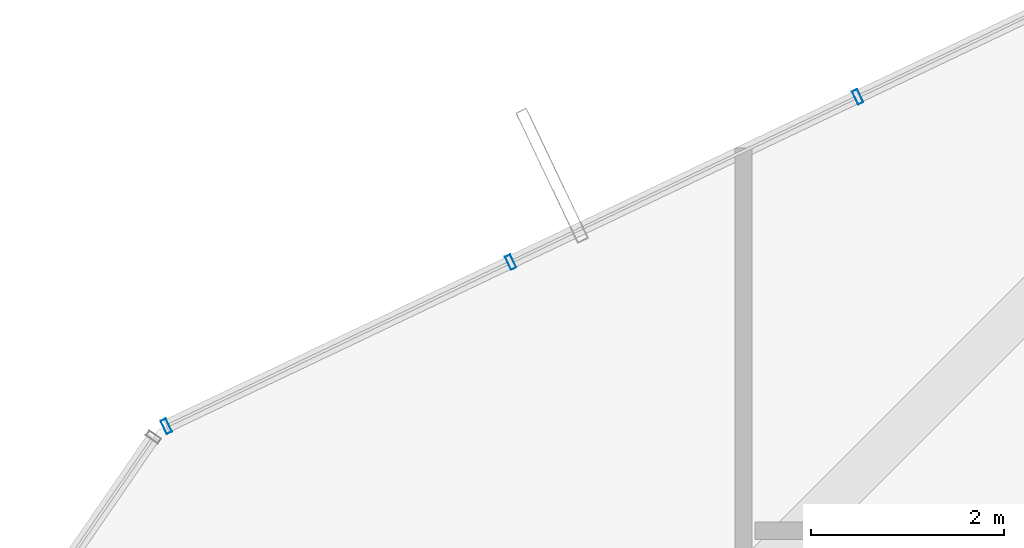
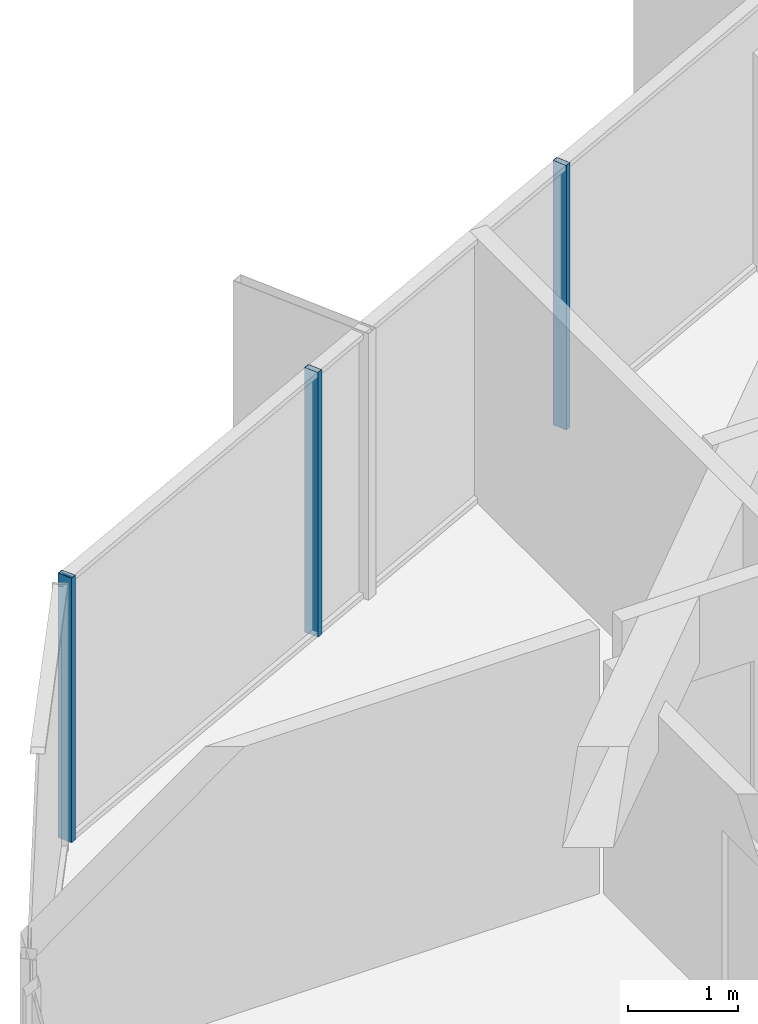
# One storey, part 18 of 29: 3 members, 1 element without a shape of its own.
"""IFC4 building model written with IfcOpenShell, lengths in metres."""

import ifcopenshell
import ifcopenshell.guid

model = None  # the IFC model being written
_history = None  # IfcOwnerHistory: only IFC2X3 demands one
_inside = {}  # id of a spatial element -> (the spatial element, [elements in it])
_under = {}  # id of a project, library or spatial element -> (it, [spatial elements below it])
_declared = {}  # id of a project -> (the project, [libraries it declares])
_typed = {}  # id of a type object -> (the type object, [elements of that type])
_made_of = {}  # id of a material, layer set ... -> (it, [elements and type objects made of it])


def new_model(schema):
    """Start an empty IFC model of exactly this schema.

    Asked for "IFC4X3", IfcOpenShell would pick the latest addendum, in which some entities
    have other attributes; the version numbers below select the first issue.
    IFC2X3 requires an IfcOwnerHistory on every rooted entity: one is made here for all.
    """
    global model, _history
    if schema == "IFC4X3":
        model = ifcopenshell.file(schema_version=(4, 3, 0, 0))
    else:
        model = ifcopenshell.file(schema=schema)
    _inside.clear()
    _under.clear()
    _declared.clear()
    _typed.clear()
    _made_of.clear()
    _history = None
    if model.schema == "IFC2X3":
        org = make("IfcOrganization", Name="unknown")
        user = make(
            "IfcPersonAndOrganization",
            ThePerson=make("IfcPerson", FamilyName="unknown"),
            TheOrganization=org,
        )
        app = make(
            "IfcApplication",
            ApplicationDeveloper=org,
            Version="unknown",
            ApplicationFullName="unknown",
            ApplicationIdentifier="unknown",
        )
        _history = make(
            "IfcOwnerHistory",
            OwningUser=user,
            OwningApplication=app,
            ChangeAction="ADDED",
            CreationDate=0,
        )
    return model


def make(cls, **values):
    """One entity of the class cls with the attributes given. An attribute that is None is left unset."""
    return model.create_entity(
        cls, **{name: value for name, value in values.items() if value is not None}
    )


def rooted(cls, **values):
    """An entity with a GlobalId (a new one), such as an element, a storey or a relation."""
    return make(cls, GlobalId=ifcopenshell.guid.new(), OwnerHistory=_history, **values)


def si_unit(unit_type, name, prefix=None):
    """IfcSIUnit, for example si_unit("LENGTHUNIT", "METRE", prefix="MILLI")."""
    return make("IfcSIUnit", UnitType=unit_type, Prefix=prefix, Name=name)


def assignment(units):
    """IfcUnitAssignment: the units of a project."""
    return None if units is None else make("IfcUnitAssignment", Units=units)


def point(xyz):
    """IfcCartesianPoint."""
    return None if xyz is None else make("IfcCartesianPoint", Coordinates=xyz)


def direction(xyz):
    """IfcDirection."""
    return None if xyz is None else make("IfcDirection", DirectionRatios=xyz)


def frame(location, z_axis=None, x_axis=None):
    """IfcAxis2Placement3D, a coordinate frame: its origin and axes. An axis left out is left unset."""
    return make(
        "IfcAxis2Placement3D",
        Location=point(location),
        Axis=direction(z_axis),
        RefDirection=direction(x_axis),
    )


def frame_2d(location, x_axis=None):
    """IfcAxis2Placement2D, a coordinate frame in the plane: its origin and x axis."""
    return make(
        "IfcAxis2Placement2D", Location=point(location), RefDirection=direction(x_axis)
    )


def origin():
    """The frame at (0, 0, 0) with its axes left unset."""
    return frame((0.0, 0.0, 0.0))


def origin_2d():
    """The frame at (0, 0) in the plane with its x axis left unset."""
    return frame_2d((0.0, 0.0))


def place(relative_to, where):
    """IfcLocalPlacement: puts the frame where relative to a parent placement (None: the world)."""
    return make(
        "IfcLocalPlacement", PlacementRelTo=relative_to, RelativePlacement=where
    )


def context(
    kind, dimensions, precision=None, world=None, true_north=None, identifier=None
):
    """IfcGeometricRepresentationContext, for example the 3D "Model" context."""
    return make(
        "IfcGeometricRepresentationContext",
        ContextIdentifier=identifier,
        ContextType=kind,
        CoordinateSpaceDimension=dimensions,
        Precision=precision,
        WorldCoordinateSystem=world,
        TrueNorth=true_north,
    )


def subcontext(parent, identifier, kind, view, scale=None):
    """IfcGeometricRepresentationSubContext, for example "Body" below "Model"."""
    return make(
        "IfcGeometricRepresentationSubContext",
        ContextIdentifier=identifier,
        ContextType=kind,
        ParentContext=parent,
        TargetScale=scale,
        TargetView=view,
    )


def project(units=None, contexts=None):
    """IfcProject with its units and contexts."""
    return rooted(
        "IfcProject",
        Name="project",
        RepresentationContexts=contexts,
        UnitsInContext=assignment(units),
    )


def spatial(cls, under=None, at=None, **own):
    """A site, building, storey or space (cls), placed at a placement, below another one or the project."""
    s = rooted(cls, ObjectPlacement=at, **own)
    if under is not None:
        _under.setdefault(under.id(), (under, []))[1].append(s)
    return s


def profile(cls, at=None, kind="AREA", **sizes):
    """A parametric profile (cls). Its sizes go by their IFC names, for example OverallWidth=200.0."""
    return make(cls, ProfileType=kind, Position=at, **sizes)


def hollow_rectangle(**sizes):
    """IfcRectangleHollowProfileDef."""
    return profile("IfcRectangleHollowProfileDef", **sizes)


def extrude(swept, where, along, depth):
    """IfcExtrudedAreaSolid: the profile swept, set in the frame where, extruded along a direction by depth."""
    return make(
        "IfcExtrudedAreaSolid",
        SweptArea=swept,
        Position=where,
        ExtrudedDirection=direction(along),
        Depth=depth,
    )


def shape(context_of_items, identifier, shape_type, items):
    """IfcShapeRepresentation: the items that make up one representation, for example the "Body"."""
    return make(
        "IfcShapeRepresentation",
        ContextOfItems=context_of_items,
        RepresentationIdentifier=identifier,
        RepresentationType=shape_type,
        Items=items,
    )


def source(mapping_origin, context_of_items, identifier, shape_type, items):
    """IfcRepresentationMap: a shape defined once, which mapped items show again and again."""
    return make(
        "IfcRepresentationMap",
        MappingOrigin=mapping_origin,
        MappedRepresentation=shape(context_of_items, identifier, shape_type, items),
    )


def transform(
    local_origin,
    x_axis=None,
    y_axis=None,
    z_axis=None,
    scale=None,
    scale2=None,
    scale3=None,
    uniform=True,
):
    """IfcCartesianTransformationOperator3D, or its non-uniform kind. x_axis, y_axis, z_axis: its Axis1, 2, 3."""
    if uniform:
        return make(
            "IfcCartesianTransformationOperator3D",
            Axis1=direction(x_axis),
            Axis2=direction(y_axis),
            LocalOrigin=point(local_origin),
            Scale=scale,
            Axis3=direction(z_axis),
        )
    return make(
        "IfcCartesianTransformationOperator3DnonUniform",
        Axis1=direction(x_axis),
        Axis2=direction(y_axis),
        LocalOrigin=point(local_origin),
        Scale=scale,
        Axis3=direction(z_axis),
        Scale2=scale2,
        Scale3=scale3,
    )


def mapped(mapping_source, mapping_target):
    """IfcMappedItem: shows the shape of a source again, moved by a transform."""
    return make(
        "IfcMappedItem", MappingSource=mapping_source, MappingTarget=mapping_target
    )


def material(Name=None, Category=None):
    """IfcMaterial."""
    return make("IfcMaterial", Name=Name, Category=Category)


def layer(
    of_material, thickness, ventilated=None, Name=None, Category=None, Priority=None
):
    """IfcMaterialLayer: one layer of a wall or slab, of a material (None: an air gap)."""
    return make(
        "IfcMaterialLayer",
        Material=of_material,
        LayerThickness=thickness,
        IsVentilated=ventilated,
        Name=Name,
        Category=Category,
        Priority=Priority,
    )


def layer_set(layers, Name=None):
    """IfcMaterialLayerSet."""
    return make("IfcMaterialLayerSet", MaterialLayers=layers, LayerSetName=Name)


def material_profile(
    of_material, cross_section, Name=None, Category=None, Priority=None
):
    """IfcMaterialProfile: a cross section and its material."""
    return make(
        "IfcMaterialProfile",
        Name=Name,
        Material=of_material,
        Profile=cross_section,
        Priority=Priority,
        Category=Category,
    )


def profile_set(profiles, Name=None, composite=None):
    """IfcMaterialProfileSet."""
    return make(
        "IfcMaterialProfileSet",
        Name=Name,
        MaterialProfiles=profiles,
        CompositeProfile=composite,
    )


def made_of(thing, what):
    """Note that an element or type object is made of a material, layer set ...; save() writes the relation."""
    if what is not None:
        _made_of.setdefault(what.id(), (what, []))[1].append(thing)
    return thing


def type_object(cls, material=None, **own):
    """A type object (cls), such as IfcWallType, which elements share."""
    return made_of(rooted(cls, **own), material)


def element(
    cls,
    number,
    at=None,
    inside=None,
    cuts=None,
    type_object=None,
    material=None,
    context=None,
    identifier="Body",
    shape_type=None,
    held_by="IfcProductDefinitionShape",
    body=None,
    shapes=None,
    **own,
):
    """One element of the class cls, such as IfcWall. Its Tag is "e" and its number.

    at: its placement. inside: the storey or other place that contains it. cuts: it is an
    opening in that element (IfcRelVoidsElement). A single representation is given by context,
    identifier, shape_type and body (its items); several are given by shapes. held_by: the class
    of the entity that holds the representations. save() writes the other relations.
    """
    e = rooted(cls, Tag="e%d" % number, ObjectPlacement=at, **own)
    if body is not None:
        shapes = [shape(context, identifier, shape_type, body)]
    if shapes is not None:
        e.Representation = make(held_by, Representations=shapes)
    if inside is not None:
        _inside.setdefault(inside.id(), (inside, []))[1].append(e)
    if cuts is not None:
        rooted(
            "IfcRelVoidsElement", RelatingBuildingElement=cuts, RelatedOpeningElement=e
        )
    if type_object is not None:
        _typed.setdefault(type_object.id(), (type_object, []))[1].append(e)
    return made_of(e, material)


def aggregate(whole, parts):
    """IfcRelAggregates: a whole, such as a stair, and the parts it consists of."""
    return rooted("IfcRelAggregates", RelatingObject=whole, RelatedObjects=parts)


def save(model, path):
    """Write the relations noted so far, then the file.

    IfcRelAggregates (storeys below a building ...), IfcRelContainedInSpatialStructure (elements
    in a storey), IfcRelDefinesByType, IfcRelAssociatesMaterial and IfcRelDeclares: one each for
    every whole, place, type object, material and project.
    """
    for whole, parts in _under.values():
        aggregate(whole, parts)
    for where, things in _inside.values():
        rooted(
            "IfcRelContainedInSpatialStructure",
            RelatedElements=things,
            RelatingStructure=where,
        )
    for kind, things in _typed.values():
        rooted("IfcRelDefinesByType", RelatedObjects=things, RelatingType=kind)
    for what, things in _made_of.values():
        rooted("IfcRelAssociatesMaterial", RelatedObjects=things, RelatingMaterial=what)
    for by, libraries in _declared.values():
        rooted("IfcRelDeclares", RelatingContext=by, RelatedDefinitions=libraries)
    model.write(path)


model = new_model("IFC4")

# Units and contexts
model_context = context("Model", 3, precision=1e-05, world=origin(), true_north=direction((0.0, 1.0)))
body_context = subcontext(model_context, "Body", "Model", "MODEL_VIEW")
ifc_project = project(units=[si_unit("LENGTHUNIT", "METRE"), si_unit("AREAUNIT", "SQUARE_METRE"), si_unit("VOLUMEUNIT", "CUBIC_METRE"), si_unit("PLANEANGLEUNIT", "RADIAN"), si_unit("MASSUNIT", "GRAM", prefix="KILO")], contexts=[model_context])

# Site, building, storey
site_placement = place(None, origin())
site = spatial("IfcSite", under=ifc_project, at=site_placement, CompositionType="ELEMENT")
building_placement = place(site_placement, origin())
building = spatial("IfcBuilding", under=site, at=building_placement, Name="Veraguas Prism Commons", CompositionType="ELEMENT")
storey_placement = place(building_placement, frame((0.0, 0.0, 222.14990234375)))
storey = spatial("IfcBuildingStorey", under=building, at=storey_placement, Name="L63", CompositionType="ELEMENT", Elevation=222.14990234375)

# Curtain wall, members
ifc_material = material(Name="Anodised aluminium EN AW-6063 T6", Category="aluminium")
ifc_layer = layer(ifc_material, 0.14990234375, Name="Unitised Flush Curtain Wall Zone 3", Category="aluminium")
ifc_layer_set = layer_set([ifc_layer], Name="Anodised aluminium EN AW-6063 T6")
curtain_wall_type = type_object("IfcCurtainWallType", Name="Unitised Flush Curtain Wall Zone 3", PredefinedType="NOTDEFINED", material=ifc_layer_set)
curtain_wall_placement = place(storey_placement, origin())
curtain_wall = element("IfcCurtainWall", 1, at=curtain_wall_placement, inside=storey, type_object=curtain_wall_type, Name="Tower Facade Curtain Wall L63-F2", PredefinedType="NOTDEFINED")
ifc_material_profile = material_profile(ifc_material, hollow_rectangle(XDim=0.06005859375, YDim=0.14990234375, WallThickness=0.0029296875, at=origin_2d()), Name="AL60X150X3")
ifc_profile_set = profile_set([ifc_material_profile], Name="Anodised aluminium EN AW-6063 T6")
member_type = type_object("IfcMemberType", Name="Curtain Wall Mullion Upper AL 60x150x3", PredefinedType="MULLION", material=ifc_profile_set)
shared_shape = source(origin(), body_context, "Body", "SweptSolid", [
    extrude(hollow_rectangle(XDim=0.06005859375, YDim=0.14990234375, WallThickness=0.0029296875, at=origin_2d()), origin(), (0.0, 0.0, 1.0), 2.93017578125),
])
member_1_placement = place(storey_placement, frame((16.381103515625, 39.987548828125, 0.0), z_axis=(0.0, 0.0, 1.0), x_axis=(-0.902733253567, -0.430200735593, 0.0)))
member_1 = element("IfcMember", 2, at=member_1_placement, type_object=member_type, Name="CW-Z3 Mullion 3", PredefinedType="MULLION", context=body_context, shape_type="MappedRepresentation", body=[
    mapped(shared_shape, transform((0.0, 0.0, 0.0), scale=1.0)),
])
member_2_placement = place(storey_placement, frame((12.792236328125, 38.27734375, 0.0), z_axis=(0.0, 0.0, 1.0), x_axis=(-0.902733253567, -0.430200735593, 0.0)))
member_2 = element("IfcMember", 3, at=member_2_placement, type_object=member_type, Name="CW-Z3 Mullion 4", PredefinedType="MULLION", context=body_context, shape_type="MappedRepresentation", body=[
    mapped(shared_shape, transform((0.0, 0.0, 0.0), scale=1.0)),
])
member_3_placement = place(storey_placement, frame((9.23046875, 36.579833984375, 0.0), z_axis=(0.0, 0.0, 1.0), x_axis=(-0.902733253567, -0.430200735593, 0.0)))
member_3 = element("IfcMember", 4, at=member_3_placement, type_object=member_type, Name="CW-Z3 Mullion 5", PredefinedType="MULLION", context=body_context, shape_type="MappedRepresentation", body=[
    mapped(shared_shape, transform((0.0, 0.0, 0.0), scale=1.0)),
])
aggregate(curtain_wall, [member_1, member_2, member_3])

save(model, "model.ifc")
